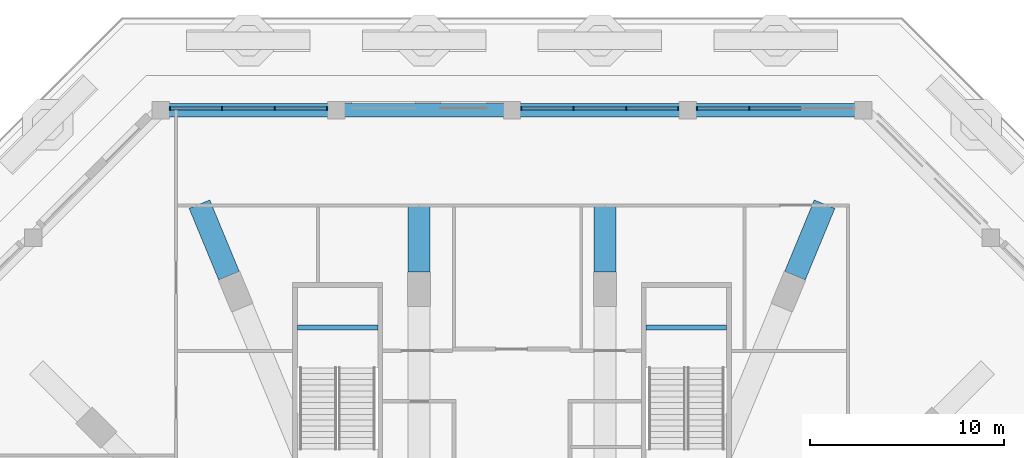
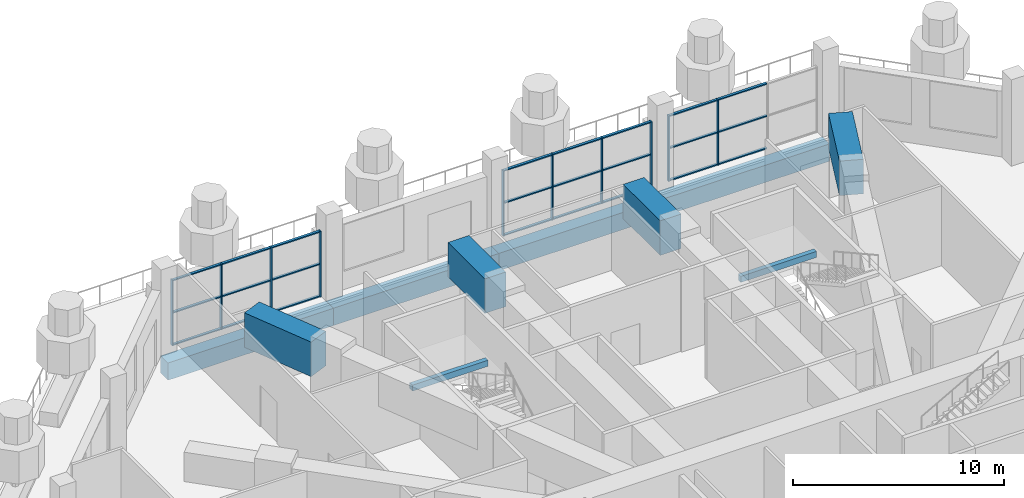
# One storey, part 10 of 25: 34 members, 10 beams, 3 elements without a shape of their own.
"""IFC4 building model written with IfcOpenShell, lengths in metres."""

import ifcopenshell
import ifcopenshell.guid

model = None  # the IFC model being written
_history = None  # IfcOwnerHistory: only IFC2X3 demands one
_inside = {}  # id of a spatial element -> (the spatial element, [elements in it])
_under = {}  # id of a project, library or spatial element -> (it, [spatial elements below it])
_declared = {}  # id of a project -> (the project, [libraries it declares])
_typed = {}  # id of a type object -> (the type object, [elements of that type])
_made_of = {}  # id of a material, layer set ... -> (it, [elements and type objects made of it])


def new_model(schema):
    """Start an empty IFC model of exactly this schema.

    Asked for "IFC4X3", IfcOpenShell would pick the latest addendum, in which some entities
    have other attributes; the version numbers below select the first issue.
    IFC2X3 requires an IfcOwnerHistory on every rooted entity: one is made here for all.
    """
    global model, _history
    if schema == "IFC4X3":
        model = ifcopenshell.file(schema_version=(4, 3, 0, 0))
    else:
        model = ifcopenshell.file(schema=schema)
    _inside.clear()
    _under.clear()
    _declared.clear()
    _typed.clear()
    _made_of.clear()
    _history = None
    if model.schema == "IFC2X3":
        org = make("IfcOrganization", Name="unknown")
        user = make(
            "IfcPersonAndOrganization",
            ThePerson=make("IfcPerson", FamilyName="unknown"),
            TheOrganization=org,
        )
        app = make(
            "IfcApplication",
            ApplicationDeveloper=org,
            Version="unknown",
            ApplicationFullName="unknown",
            ApplicationIdentifier="unknown",
        )
        _history = make(
            "IfcOwnerHistory",
            OwningUser=user,
            OwningApplication=app,
            ChangeAction="ADDED",
            CreationDate=0,
        )
    return model


def make(cls, **values):
    """One entity of the class cls with the attributes given. An attribute that is None is left unset."""
    return model.create_entity(
        cls, **{name: value for name, value in values.items() if value is not None}
    )


def rooted(cls, **values):
    """An entity with a GlobalId (a new one), such as an element, a storey or a relation."""
    return make(cls, GlobalId=ifcopenshell.guid.new(), OwnerHistory=_history, **values)


def si_unit(unit_type, name, prefix=None):
    """IfcSIUnit, for example si_unit("LENGTHUNIT", "METRE", prefix="MILLI")."""
    return make("IfcSIUnit", UnitType=unit_type, Prefix=prefix, Name=name)


def assignment(units):
    """IfcUnitAssignment: the units of a project."""
    return None if units is None else make("IfcUnitAssignment", Units=units)


def point(xyz):
    """IfcCartesianPoint."""
    return None if xyz is None else make("IfcCartesianPoint", Coordinates=xyz)


def direction(xyz):
    """IfcDirection."""
    return None if xyz is None else make("IfcDirection", DirectionRatios=xyz)


def frame(location, z_axis=None, x_axis=None):
    """IfcAxis2Placement3D, a coordinate frame: its origin and axes. An axis left out is left unset."""
    return make(
        "IfcAxis2Placement3D",
        Location=point(location),
        Axis=direction(z_axis),
        RefDirection=direction(x_axis),
    )


def frame_2d(location, x_axis=None):
    """IfcAxis2Placement2D, a coordinate frame in the plane: its origin and x axis."""
    return make(
        "IfcAxis2Placement2D", Location=point(location), RefDirection=direction(x_axis)
    )


def origin():
    """The frame at (0, 0, 0) with its axes left unset."""
    return frame((0.0, 0.0, 0.0))


def origin_2d():
    """The frame at (0, 0) in the plane with its x axis left unset."""
    return frame_2d((0.0, 0.0))


def place(relative_to, where):
    """IfcLocalPlacement: puts the frame where relative to a parent placement (None: the world)."""
    return make(
        "IfcLocalPlacement", PlacementRelTo=relative_to, RelativePlacement=where
    )


def context(
    kind, dimensions, precision=None, world=None, true_north=None, identifier=None
):
    """IfcGeometricRepresentationContext, for example the 3D "Model" context."""
    return make(
        "IfcGeometricRepresentationContext",
        ContextIdentifier=identifier,
        ContextType=kind,
        CoordinateSpaceDimension=dimensions,
        Precision=precision,
        WorldCoordinateSystem=world,
        TrueNorth=true_north,
    )


def subcontext(parent, identifier, kind, view, scale=None):
    """IfcGeometricRepresentationSubContext, for example "Body" below "Model"."""
    return make(
        "IfcGeometricRepresentationSubContext",
        ContextIdentifier=identifier,
        ContextType=kind,
        ParentContext=parent,
        TargetScale=scale,
        TargetView=view,
    )


def project(units=None, contexts=None):
    """IfcProject with its units and contexts."""
    return rooted(
        "IfcProject",
        Name="project",
        RepresentationContexts=contexts,
        UnitsInContext=assignment(units),
    )


def spatial(cls, under=None, at=None, **own):
    """A site, building, storey or space (cls), placed at a placement, below another one or the project."""
    s = rooted(cls, ObjectPlacement=at, **own)
    if under is not None:
        _under.setdefault(under.id(), (under, []))[1].append(s)
    return s


def profile(cls, at=None, kind="AREA", **sizes):
    """A parametric profile (cls). Its sizes go by their IFC names, for example OverallWidth=200.0."""
    return make(cls, ProfileType=kind, Position=at, **sizes)


def rectangle(**sizes):
    """IfcRectangleProfileDef."""
    return profile("IfcRectangleProfileDef", **sizes)


def extrude(swept, where, along, depth):
    """IfcExtrudedAreaSolid: the profile swept, set in the frame where, extruded along a direction by depth."""
    return make(
        "IfcExtrudedAreaSolid",
        SweptArea=swept,
        Position=where,
        ExtrudedDirection=direction(along),
        Depth=depth,
    )


def shape(context_of_items, identifier, shape_type, items):
    """IfcShapeRepresentation: the items that make up one representation, for example the "Body"."""
    return make(
        "IfcShapeRepresentation",
        ContextOfItems=context_of_items,
        RepresentationIdentifier=identifier,
        RepresentationType=shape_type,
        Items=items,
    )


def material(Name=None, Category=None):
    """IfcMaterial."""
    return make("IfcMaterial", Name=Name, Category=Category)


def material_profile(
    of_material, cross_section, Name=None, Category=None, Priority=None
):
    """IfcMaterialProfile: a cross section and its material."""
    return make(
        "IfcMaterialProfile",
        Name=Name,
        Material=of_material,
        Profile=cross_section,
        Priority=Priority,
        Category=Category,
    )


def profile_set(profiles, Name=None, composite=None):
    """IfcMaterialProfileSet."""
    return make(
        "IfcMaterialProfileSet",
        Name=Name,
        MaterialProfiles=profiles,
        CompositeProfile=composite,
    )


def made_of(thing, what):
    """Note that an element or type object is made of a material, layer set ...; save() writes the relation."""
    if what is not None:
        _made_of.setdefault(what.id(), (what, []))[1].append(thing)
    return thing


def type_object(cls, material=None, **own):
    """A type object (cls), such as IfcWallType, which elements share."""
    return made_of(rooted(cls, **own), material)


def element(
    cls,
    number,
    at=None,
    inside=None,
    cuts=None,
    type_object=None,
    material=None,
    context=None,
    identifier="Body",
    shape_type=None,
    held_by="IfcProductDefinitionShape",
    body=None,
    shapes=None,
    **own,
):
    """One element of the class cls, such as IfcWall. Its Tag is "e" and its number.

    at: its placement. inside: the storey or other place that contains it. cuts: it is an
    opening in that element (IfcRelVoidsElement). A single representation is given by context,
    identifier, shape_type and body (its items); several are given by shapes. held_by: the class
    of the entity that holds the representations. save() writes the other relations.
    """
    e = rooted(cls, Tag="e%d" % number, ObjectPlacement=at, **own)
    if body is not None:
        shapes = [shape(context, identifier, shape_type, body)]
    if shapes is not None:
        e.Representation = make(held_by, Representations=shapes)
    if inside is not None:
        _inside.setdefault(inside.id(), (inside, []))[1].append(e)
    if cuts is not None:
        rooted(
            "IfcRelVoidsElement", RelatingBuildingElement=cuts, RelatedOpeningElement=e
        )
    if type_object is not None:
        _typed.setdefault(type_object.id(), (type_object, []))[1].append(e)
    return made_of(e, material)


def aggregate(whole, parts):
    """IfcRelAggregates: a whole, such as a stair, and the parts it consists of."""
    return rooted("IfcRelAggregates", RelatingObject=whole, RelatedObjects=parts)


def save(model, path):
    """Write the relations noted so far, then the file.

    IfcRelAggregates (storeys below a building ...), IfcRelContainedInSpatialStructure (elements
    in a storey), IfcRelDefinesByType, IfcRelAssociatesMaterial and IfcRelDeclares: one each for
    every whole, place, type object, material and project.
    """
    for whole, parts in _under.values():
        aggregate(whole, parts)
    for where, things in _inside.values():
        rooted(
            "IfcRelContainedInSpatialStructure",
            RelatedElements=things,
            RelatingStructure=where,
        )
    for kind, things in _typed.values():
        rooted("IfcRelDefinesByType", RelatedObjects=things, RelatingType=kind)
    for what, things in _made_of.values():
        rooted("IfcRelAssociatesMaterial", RelatedObjects=things, RelatingMaterial=what)
    for by, libraries in _declared.values():
        rooted("IfcRelDeclares", RelatingContext=by, RelatedDefinitions=libraries)
    model.write(path)


model = new_model("IFC4")

# Units and contexts
model_context = context("Model", 3, precision=1e-05, world=origin(), true_north=direction((0.0, 1.0)))
body_context = subcontext(model_context, "Body", "Model", "MODEL_VIEW")
ifc_project = project(units=[si_unit("LENGTHUNIT", "METRE"), si_unit("AREAUNIT", "SQUARE_METRE"), si_unit("VOLUMEUNIT", "CUBIC_METRE"), si_unit("PLANEANGLEUNIT", "RADIAN"), si_unit("MASSUNIT", "GRAM", prefix="KILO")], contexts=[model_context])

# Site, building, storey
site_placement = place(None, origin())
site = spatial("IfcSite", under=ifc_project, at=site_placement, CompositionType="ELEMENT")
building_placement = place(site_placement, origin())
building = spatial("IfcBuilding", under=site, at=building_placement, Name="Msitu Wima Residences", CompositionType="ELEMENT")
storey_placement = place(building_placement, frame((0.0, 0.0, 11.0)))
storey = spatial("IfcBuildingStorey", under=building, at=storey_placement, Name="L02", CompositionType="ELEMENT", Elevation=11.0)

# Beams
ifc_material_1 = material(Name="Concrete C40/50", Category="concrete")
ifc_material_profile_1 = material_profile(ifc_material_1, rectangle(XDim=0.25, YDim=0.35009765625, at=origin_2d()), Name="RC 250x350")
ifc_profile_set_1 = profile_set([ifc_material_profile_1], Name="Concrete C40/50")
beam_type_1 = type_object("IfcBeamType", Name="Landing beam RC 250x350", PredefinedType="BEAM", material=ifc_profile_set_1)
for number, where, z_axis, x_axis, name in (
    (1, (-6.925048828125, 26.60009765625, 2.125), (-1.0, 0.0, 0.0), (0.0, -1.0, 0.0), "Podium exit stair 3 landing beam"),
    (2, (6.925048828125, 26.60009765625, 2.125), (1.0, 0.0, 0.0), (0.0, 1.0, 0.0), "Podium exit stair 4 landing beam"),
):
    element("IfcBeam", number, at=place(storey_placement, frame(where, z_axis=z_axis, x_axis=x_axis)), inside=storey, type_object=beam_type_1, Name=name, PredefinedType="BEAM", context=body_context, shape_type="SweptSolid", body=[
        extrude(rectangle(XDim=0.25, YDim=0.35009765625, at=origin_2d()), origin(), (0.0, 0.0, 1.0), 4.14990234375),
    ])

# Curtain wall, members
ifc_material_2 = material(Name="Anodised aluminium, bronze finish, clear low-emissivity double glazing", Category="aluminium")
curtain_wall_type = type_object("IfcCurtainWallType", Name="Curtain wall CW6 podium winter garden", PredefinedType="NOTDEFINED", material=ifc_material_2)
curtain_wall_1_placement = place(storey_placement, origin())
curtain_wall_1 = element("IfcCurtainWall", 3, at=curtain_wall_1_placement, inside=storey, type_object=curtain_wall_type, Name="Curtain wall CW6 L02 N0", PredefinedType="NOTDEFINED")
ifc_material_3 = material(Name="Anodised aluminium, bronze finish", Category="aluminium")
ifc_material_profile_2 = material_profile(ifc_material_3, rectangle(XDim=0.179931640625, YDim=0.06494140625, at=origin_2d()), Name="Mullion 65x180")
ifc_profile_set_2 = profile_set([ifc_material_profile_2], Name="Anodised aluminium, bronze finish")
member_type_1 = type_object("IfcMemberType", Name="Mullion CW6 65x180", PredefinedType="MULLION", material=ifc_profile_set_2)
member_1_placement = place(storey_placement, frame((12.2353515625, 37.89990234375, 0.0), z_axis=(0.0, 0.0, 1.0), x_axis=(0.0, -1.0, 0.0)))
member_1 = element("IfcMember", 4, at=member_1_placement, type_object=member_type_1, Name="CW6 mullion 3", PredefinedType="MULLION", context=body_context, shape_type="SweptSolid", body=[
    extrude(rectangle(XDim=0.179931640625, YDim=0.06494140625, at=origin_2d()), origin(), (0.0, 0.0, 1.0), 3.800048828125),
])
member_2_placement = place(storey_placement, frame((9.54638671875, 37.89990234375, 0.0), z_axis=(0.0, 0.0, 1.0), x_axis=(0.0, -1.0, 0.0)))
member_2 = element("IfcMember", 5, at=member_2_placement, type_object=member_type_1, Name="CW6 mullion 4", PredefinedType="MULLION", context=body_context, shape_type="SweptSolid", body=[
    extrude(rectangle(XDim=0.179931640625, YDim=0.06494140625, at=origin_2d()), origin(), (0.0, 0.0, 1.0), 3.800048828125),
])

curtain_wall_2_placement = place(storey_placement, origin())
curtain_wall_2 = element("IfcCurtainWall", 6, at=curtain_wall_2_placement, inside=storey, type_object=curtain_wall_type, Name="Curtain wall CW6 L02 N1", PredefinedType="NOTDEFINED")
member_3_placement = place(storey_placement, frame((8.58154296875, 37.89990234375, 0.0), z_axis=(0.0, 0.0, 1.0), x_axis=(0.0, -1.0, 0.0)))
member_3 = element("IfcMember", 7, at=member_3_placement, type_object=member_type_1, Name="CW6 mullion 1", PredefinedType="MULLION", context=body_context, shape_type="SweptSolid", body=[
    extrude(rectangle(XDim=0.179931640625, YDim=0.06494140625, at=origin_2d()), origin(), (0.0, 0.0, 1.0), 3.800048828125),
])
member_4_placement = place(storey_placement, frame((5.892578125, 37.89990234375, 0.0), z_axis=(0.0, 0.0, 1.0), x_axis=(0.0, -1.0, 0.0)))
member_4 = element("IfcMember", 8, at=member_4_placement, type_object=member_type_1, Name="CW6 mullion 2", PredefinedType="MULLION", context=body_context, shape_type="SweptSolid", body=[
    extrude(rectangle(XDim=0.179931640625, YDim=0.06494140625, at=origin_2d()), origin(), (0.0, 0.0, 1.0), 3.800048828125),
])
member_5_placement = place(storey_placement, frame((3.17138671875, 37.89990234375, 0.0), z_axis=(0.0, 0.0, 1.0), x_axis=(0.0, -1.0, 0.0)))
member_5 = element("IfcMember", 9, at=member_5_placement, type_object=member_type_1, Name="CW6 mullion 3", PredefinedType="MULLION", context=body_context, shape_type="SweptSolid", body=[
    extrude(rectangle(XDim=0.179931640625, YDim=0.06494140625, at=origin_2d()), origin(), (0.0, 0.0, 1.0), 3.800048828125),
])
member_6_placement = place(storey_placement, frame((0.482421875, 37.89990234375, 0.0), z_axis=(0.0, 0.0, 1.0), x_axis=(0.0, -1.0, 0.0)))
member_6 = element("IfcMember", 10, at=member_6_placement, type_object=member_type_1, Name="CW6 mullion 4", PredefinedType="MULLION", context=body_context, shape_type="SweptSolid", body=[
    extrude(rectangle(XDim=0.179931640625, YDim=0.06494140625, at=origin_2d()), origin(), (0.0, 0.0, 1.0), 3.800048828125),
])

curtain_wall_3_placement = place(storey_placement, origin())
curtain_wall_3 = element("IfcCurtainWall", 11, at=curtain_wall_3_placement, inside=storey, type_object=curtain_wall_type, Name="Curtain wall CW6 L02 N3", PredefinedType="NOTDEFINED")
member_7_placement = place(storey_placement, frame((-9.54638671875, 37.89990234375, 0.0), z_axis=(0.0, 0.0, 1.0), x_axis=(0.0, -1.0, 0.0)))
member_7 = element("IfcMember", 12, at=member_7_placement, type_object=member_type_1, Name="CW6 mullion 1", PredefinedType="MULLION", context=body_context, shape_type="SweptSolid", body=[
    extrude(rectangle(XDim=0.179931640625, YDim=0.06494140625, at=origin_2d()), origin(), (0.0, 0.0, 1.0), 3.800048828125),
])
member_8_placement = place(storey_placement, frame((-12.2353515625, 37.89990234375, 0.0), z_axis=(0.0, 0.0, 1.0), x_axis=(0.0, -1.0, 0.0)))
member_8 = element("IfcMember", 13, at=member_8_placement, type_object=member_type_1, Name="CW6 mullion 2", PredefinedType="MULLION", context=body_context, shape_type="SweptSolid", body=[
    extrude(rectangle(XDim=0.179931640625, YDim=0.06494140625, at=origin_2d()), origin(), (0.0, 0.0, 1.0), 3.800048828125),
])
member_9_placement = place(storey_placement, frame((-14.95654296875, 37.89990234375, 0.0), z_axis=(0.0, 0.0, 1.0), x_axis=(0.0, -1.0, 0.0)))
member_9 = element("IfcMember", 14, at=member_9_placement, type_object=member_type_1, Name="CW6 mullion 3", PredefinedType="MULLION", context=body_context, shape_type="SweptSolid", body=[
    extrude(rectangle(XDim=0.179931640625, YDim=0.06494140625, at=origin_2d()), origin(), (0.0, 0.0, 1.0), 3.800048828125),
])
member_10_placement = place(storey_placement, frame((-17.6455078125, 37.89990234375, 0.0), z_axis=(0.0, 0.0, 1.0), x_axis=(0.0, -1.0, 0.0)))
member_10 = element("IfcMember", 15, at=member_10_placement, type_object=member_type_1, Name="CW6 mullion 4", PredefinedType="MULLION", context=body_context, shape_type="SweptSolid", body=[
    extrude(rectangle(XDim=0.179931640625, YDim=0.06494140625, at=origin_2d()), origin(), (0.0, 0.0, 1.0), 3.800048828125),
])

# Beams
ifc_material_4 = material(Name="Concrete C60/75", Category="concrete")
ifc_material_profile_3 = material_profile(ifc_material_4, rectangle(XDim=1.14990234375, YDim=2.0, at=origin_2d()), Name="RC 1150x2000")
ifc_profile_set_3 = profile_set([ifc_material_profile_3], Name="Concrete C60/75")
beam_type_2 = type_object("IfcBeamType", Name="Podium cantilever girder tip RC 1150x2000 Concrete C60/75", PredefinedType="BEAM", material=ifc_profile_set_3)
beam_1_placement = place(storey_placement, frame((14.5966796875, 29.274658203125, 3.64990234375), z_axis=(0.382650802599, 0.923893047528, 0.0), x_axis=(-0.923893047528, 0.382650802599, 0.0)))
element("IfcBeam", 16, at=beam_1_placement, inside=storey, type_object=beam_type_2, Name="Podium cantilever girder L03 C-N0 cantilever", PredefinedType="BEAM", context=body_context, shape_type="SweptSolid", body=[
    extrude(rectangle(XDim=1.14990234375, YDim=2.0, at=origin_2d()), origin(), (0.0, 0.0, 1.0), 3.990234375),
])
for number, where, z_axis, x_axis, name in (
    (17, (4.800048828125, 29.462890625, 3.64990234375), (0.0, 1.0, 0.0), (-1.0, 0.0, 0.0), "Podium cantilever girder L03 C-N1 cantilever"),
    (18, (-4.800048828125, 29.462890625, 3.64990234375), (0.0, 1.0, 0.0), (-1.0, 0.0, 0.0), "Podium cantilever girder L03 C-N2 cantilever"),
):
    element("IfcBeam", number, at=place(storey_placement, frame(where, z_axis=z_axis, x_axis=x_axis)), inside=storey, type_object=beam_type_2, Name=name, PredefinedType="BEAM", context=body_context, shape_type="SweptSolid", body=[
        extrude(rectangle(XDim=1.14990234375, YDim=2.0, at=origin_2d()), origin(), (0.0, 0.0, 1.0), 3.4990234375),
    ])
beam_2_placement = place(storey_placement, frame((-14.5966796875, 29.274658203125, 3.64990234375), z_axis=(-0.382650802599, 0.923893047528, 0.0), x_axis=(-0.923893047528, -0.382650802599, 0.0)))
element("IfcBeam", 19, at=beam_2_placement, inside=storey, type_object=beam_type_2, Name="Podium cantilever girder L03 C-NW0 cantilever", PredefinedType="BEAM", context=body_context, shape_type="SweptSolid", body=[
    extrude(rectangle(XDim=1.14990234375, YDim=2.0, at=origin_2d()), origin(), (0.0, 0.0, 1.0), 3.990234375),
])
ifc_material_profile_4 = material_profile(ifc_material_4, rectangle(XDim=0.699951171875, YDim=1.0, at=origin_2d()), Name="RC 700x1000")
ifc_profile_set_4 = profile_set([ifc_material_profile_4], Name="Concrete C60/75")
beam_type_3 = type_object("IfcBeamType", Name="Terrace beam RC 700x1000 Concrete C60/75", PredefinedType="BEAM", material=ifc_profile_set_4)
for number, where, z_axis, x_axis, name in (
    (20, (18.1279296875, 37.800048828125, -1.10009765625), (-1.0, 0.0, 0.0), (0.0, -1.0, 0.0), "Terrace upstand-line beam L02 C-N0"),
    (21, (9.06396484375, 37.800048828125, -1.10009765625), (-1.0, 0.0, 0.0), (0.0, -1.0, 0.0), "Terrace upstand-line beam L02 C-N1"),
    (22, (0.0, 37.800048828125, -1.10009765625), (-1.0, 0.0, 0.0), (0.0, -1.0, 0.0), "Terrace upstand-line beam L02 C-N2"),
    (23, (-9.06396484375, 37.800048828125, -1.10009765625), (-1.0, 0.0, 0.0), (0.0, -1.0, 0.0), "Terrace upstand-line beam L02 C-N3"),
):
    element("IfcBeam", number, at=place(storey_placement, frame(where, z_axis=z_axis, x_axis=x_axis)), inside=storey, type_object=beam_type_3, Name=name, PredefinedType="BEAM", context=body_context, shape_type="SweptSolid", body=[
        extrude(rectangle(XDim=0.699951171875, YDim=1.0, at=origin_2d()), origin(), (0.0, 0.0, 1.0), 9.06396484375),
    ])

# Member
ifc_material_profile_5 = material_profile(ifc_material_3, rectangle(XDim=0.139892578125, YDim=0.06494140625, at=origin_2d()), Name="Transom 65x140")
ifc_profile_set_5 = profile_set([ifc_material_profile_5], Name="Anodised aluminium, bronze finish")
member_type_2 = type_object("IfcMemberType", Name="Transom CW6 65x140", PredefinedType="USERDEFINED", material=ifc_profile_set_5)
member_11_placement = place(storey_placement, frame((14.924072265625, 37.89990234375, 0.032470703125), z_axis=(-1.0, 0.0, 0.0), x_axis=(0.0, -1.0, 0.0)))
member_11 = element("IfcMember", 24, at=member_11_placement, type_object=member_type_2, Name="CW6 transom 2.1", ObjectType="TRANSOM", PredefinedType="USERDEFINED", context=body_context, shape_type="SweptSolid", body=[
    extrude(rectangle(XDim=0.139892578125, YDim=0.06494140625, at=origin_2d()), origin(), (0.0, 0.0, 1.0), 2.65625),
])

member_12_placement = place(storey_placement, frame((14.924072265625, 37.89990234375, 1.89990234375), z_axis=(-1.0, 0.0, 0.0), x_axis=(0.0, -1.0, 0.0)))
member_12 = element("IfcMember", 25, at=member_12_placement, type_object=member_type_2, Name="CW6 transom 2.2", ObjectType="TRANSOM", PredefinedType="USERDEFINED", context=body_context, shape_type="SweptSolid", body=[
    extrude(rectangle(XDim=0.139892578125, YDim=0.06494140625, at=origin_2d()), origin(), (0.0, 0.0, 1.0), 2.65625),
])

member_13_placement = place(storey_placement, frame((14.924072265625, 37.89990234375, 3.767578125), z_axis=(-1.0, 0.0, 0.0), x_axis=(0.0, -1.0, 0.0)))
member_13 = element("IfcMember", 26, at=member_13_placement, type_object=member_type_2, Name="CW6 transom 2.3", ObjectType="TRANSOM", PredefinedType="USERDEFINED", context=body_context, shape_type="SweptSolid", body=[
    extrude(rectangle(XDim=0.139892578125, YDim=0.06494140625, at=origin_2d()), origin(), (0.0, 0.0, 1.0), 2.65625),
])

member_14_placement = place(storey_placement, frame((12.202880859375, 37.89990234375, 0.032470703125), z_axis=(-1.0, 0.0, 0.0), x_axis=(0.0, -1.0, 0.0)))
member_14 = element("IfcMember", 27, at=member_14_placement, type_object=member_type_2, Name="CW6 transom 3.1", ObjectType="TRANSOM", PredefinedType="USERDEFINED", context=body_context, shape_type="SweptSolid", body=[
    extrude(rectangle(XDim=0.139892578125, YDim=0.06494140625, at=origin_2d()), origin(), (0.0, 0.0, 1.0), 2.6240234375),
])

member_15_placement = place(storey_placement, frame((12.202880859375, 37.89990234375, 1.89990234375), z_axis=(-1.0, 0.0, 0.0), x_axis=(0.0, -1.0, 0.0)))
member_15 = element("IfcMember", 28, at=member_15_placement, type_object=member_type_2, Name="CW6 transom 3.2", ObjectType="TRANSOM", PredefinedType="USERDEFINED", context=body_context, shape_type="SweptSolid", body=[
    extrude(rectangle(XDim=0.139892578125, YDim=0.06494140625, at=origin_2d()), origin(), (0.0, 0.0, 1.0), 2.6240234375),
])

member_16_placement = place(storey_placement, frame((12.202880859375, 37.89990234375, 3.767578125), z_axis=(-1.0, 0.0, 0.0), x_axis=(0.0, -1.0, 0.0)))
member_16 = element("IfcMember", 29, at=member_16_placement, type_object=member_type_2, Name="CW6 transom 3.3", ObjectType="TRANSOM", PredefinedType="USERDEFINED", context=body_context, shape_type="SweptSolid", body=[
    extrude(rectangle(XDim=0.139892578125, YDim=0.06494140625, at=origin_2d()), origin(), (0.0, 0.0, 1.0), 2.6240234375),
])

aggregate(curtain_wall_1, [member_1, member_2, member_11, member_12, member_13, member_14, member_15, member_16])

member_17_placement = place(storey_placement, frame((8.549072265625, 37.89990234375, 0.032470703125), z_axis=(-1.0, 0.0, 0.0), x_axis=(0.0, -1.0, 0.0)))
member_17 = element("IfcMember", 30, at=member_17_placement, type_object=member_type_2, Name="CW6 transom 1.1", ObjectType="TRANSOM", PredefinedType="USERDEFINED", context=body_context, shape_type="SweptSolid", body=[
    extrude(rectangle(XDim=0.139892578125, YDim=0.06494140625, at=origin_2d()), origin(), (0.0, 0.0, 1.0), 2.6240234375),
])

member_18_placement = place(storey_placement, frame((8.549072265625, 37.89990234375, 1.89990234375), z_axis=(-1.0, 0.0, 0.0), x_axis=(0.0, -1.0, 0.0)))
member_18 = element("IfcMember", 31, at=member_18_placement, type_object=member_type_2, Name="CW6 transom 1.2", ObjectType="TRANSOM", PredefinedType="USERDEFINED", context=body_context, shape_type="SweptSolid", body=[
    extrude(rectangle(XDim=0.139892578125, YDim=0.06494140625, at=origin_2d()), origin(), (0.0, 0.0, 1.0), 2.6240234375),
])

member_19_placement = place(storey_placement, frame((8.549072265625, 37.89990234375, 3.767578125), z_axis=(-1.0, 0.0, 0.0), x_axis=(0.0, -1.0, 0.0)))
member_19 = element("IfcMember", 32, at=member_19_placement, type_object=member_type_2, Name="CW6 transom 1.3", ObjectType="TRANSOM", PredefinedType="USERDEFINED", context=body_context, shape_type="SweptSolid", body=[
    extrude(rectangle(XDim=0.139892578125, YDim=0.06494140625, at=origin_2d()), origin(), (0.0, 0.0, 1.0), 2.6240234375),
])

member_20_placement = place(storey_placement, frame((5.860107421875, 37.89990234375, 0.032470703125), z_axis=(-1.0, 0.0, 0.0), x_axis=(0.0, -1.0, 0.0)))
member_20 = element("IfcMember", 33, at=member_20_placement, type_object=member_type_2, Name="CW6 transom 2.1", ObjectType="TRANSOM", PredefinedType="USERDEFINED", context=body_context, shape_type="SweptSolid", body=[
    extrude(rectangle(XDim=0.139892578125, YDim=0.06494140625, at=origin_2d()), origin(), (0.0, 0.0, 1.0), 2.65625),
])

member_21_placement = place(storey_placement, frame((5.860107421875, 37.89990234375, 1.89990234375), z_axis=(-1.0, 0.0, 0.0), x_axis=(0.0, -1.0, 0.0)))
member_21 = element("IfcMember", 34, at=member_21_placement, type_object=member_type_2, Name="CW6 transom 2.2", ObjectType="TRANSOM", PredefinedType="USERDEFINED", context=body_context, shape_type="SweptSolid", body=[
    extrude(rectangle(XDim=0.139892578125, YDim=0.06494140625, at=origin_2d()), origin(), (0.0, 0.0, 1.0), 2.65625),
])

member_22_placement = place(storey_placement, frame((5.860107421875, 37.89990234375, 3.767578125), z_axis=(-1.0, 0.0, 0.0), x_axis=(0.0, -1.0, 0.0)))
member_22 = element("IfcMember", 35, at=member_22_placement, type_object=member_type_2, Name="CW6 transom 2.3", ObjectType="TRANSOM", PredefinedType="USERDEFINED", context=body_context, shape_type="SweptSolid", body=[
    extrude(rectangle(XDim=0.139892578125, YDim=0.06494140625, at=origin_2d()), origin(), (0.0, 0.0, 1.0), 2.65625),
])

member_23_placement = place(storey_placement, frame((3.138916015625, 37.89990234375, 0.032470703125), z_axis=(-1.0, 0.0, 0.0), x_axis=(0.0, -1.0, 0.0)))
member_23 = element("IfcMember", 36, at=member_23_placement, type_object=member_type_2, Name="CW6 transom 3.1", ObjectType="TRANSOM", PredefinedType="USERDEFINED", context=body_context, shape_type="SweptSolid", body=[
    extrude(rectangle(XDim=0.139892578125, YDim=0.06494140625, at=origin_2d()), origin(), (0.0, 0.0, 1.0), 2.6240234375),
])

member_24_placement = place(storey_placement, frame((3.138916015625, 37.89990234375, 1.89990234375), z_axis=(-1.0, 0.0, 0.0), x_axis=(0.0, -1.0, 0.0)))
member_24 = element("IfcMember", 37, at=member_24_placement, type_object=member_type_2, Name="CW6 transom 3.2", ObjectType="TRANSOM", PredefinedType="USERDEFINED", context=body_context, shape_type="SweptSolid", body=[
    extrude(rectangle(XDim=0.139892578125, YDim=0.06494140625, at=origin_2d()), origin(), (0.0, 0.0, 1.0), 2.6240234375),
])

member_25_placement = place(storey_placement, frame((3.138916015625, 37.89990234375, 3.767578125), z_axis=(-1.0, 0.0, 0.0), x_axis=(0.0, -1.0, 0.0)))
member_25 = element("IfcMember", 38, at=member_25_placement, type_object=member_type_2, Name="CW6 transom 3.3", ObjectType="TRANSOM", PredefinedType="USERDEFINED", context=body_context, shape_type="SweptSolid", body=[
    extrude(rectangle(XDim=0.139892578125, YDim=0.06494140625, at=origin_2d()), origin(), (0.0, 0.0, 1.0), 2.6240234375),
])

aggregate(curtain_wall_2, [member_3, member_4, member_5, member_6, member_17, member_18, member_19, member_20, member_21, member_22, member_23, member_24, member_25])

member_26_placement = place(storey_placement, frame((-9.578857421875, 37.89990234375, 0.032470703125), z_axis=(-1.0, 0.0, 0.0), x_axis=(0.0, -1.0, 0.0)))
member_26 = element("IfcMember", 39, at=member_26_placement, type_object=member_type_2, Name="CW6 transom 1.1", ObjectType="TRANSOM", PredefinedType="USERDEFINED", context=body_context, shape_type="SweptSolid", body=[
    extrude(rectangle(XDim=0.139892578125, YDim=0.06494140625, at=origin_2d()), origin(), (0.0, 0.0, 1.0), 2.6240234375),
])

member_27_placement = place(storey_placement, frame((-9.578857421875, 37.89990234375, 1.89990234375), z_axis=(-1.0, 0.0, 0.0), x_axis=(0.0, -1.0, 0.0)))
member_27 = element("IfcMember", 40, at=member_27_placement, type_object=member_type_2, Name="CW6 transom 1.2", ObjectType="TRANSOM", PredefinedType="USERDEFINED", context=body_context, shape_type="SweptSolid", body=[
    extrude(rectangle(XDim=0.139892578125, YDim=0.06494140625, at=origin_2d()), origin(), (0.0, 0.0, 1.0), 2.6240234375),
])

member_28_placement = place(storey_placement, frame((-9.578857421875, 37.89990234375, 3.767578125), z_axis=(-1.0, 0.0, 0.0), x_axis=(0.0, -1.0, 0.0)))
member_28 = element("IfcMember", 41, at=member_28_placement, type_object=member_type_2, Name="CW6 transom 1.3", ObjectType="TRANSOM", PredefinedType="USERDEFINED", context=body_context, shape_type="SweptSolid", body=[
    extrude(rectangle(XDim=0.139892578125, YDim=0.06494140625, at=origin_2d()), origin(), (0.0, 0.0, 1.0), 2.6240234375),
])

member_29_placement = place(storey_placement, frame((-12.267822265625, 37.89990234375, 0.032470703125), z_axis=(-1.0, 0.0, 0.0), x_axis=(0.0, -1.0, 0.0)))
member_29 = element("IfcMember", 42, at=member_29_placement, type_object=member_type_2, Name="CW6 transom 2.1", ObjectType="TRANSOM", PredefinedType="USERDEFINED", context=body_context, shape_type="SweptSolid", body=[
    extrude(rectangle(XDim=0.139892578125, YDim=0.06494140625, at=origin_2d()), origin(), (0.0, 0.0, 1.0), 2.65625),
])

member_30_placement = place(storey_placement, frame((-12.267822265625, 37.89990234375, 1.89990234375), z_axis=(-1.0, 0.0, 0.0), x_axis=(0.0, -1.0, 0.0)))
member_30 = element("IfcMember", 43, at=member_30_placement, type_object=member_type_2, Name="CW6 transom 2.2", ObjectType="TRANSOM", PredefinedType="USERDEFINED", context=body_context, shape_type="SweptSolid", body=[
    extrude(rectangle(XDim=0.139892578125, YDim=0.06494140625, at=origin_2d()), origin(), (0.0, 0.0, 1.0), 2.65625),
])

member_31_placement = place(storey_placement, frame((-12.267822265625, 37.89990234375, 3.767578125), z_axis=(-1.0, 0.0, 0.0), x_axis=(0.0, -1.0, 0.0)))
member_31 = element("IfcMember", 44, at=member_31_placement, type_object=member_type_2, Name="CW6 transom 2.3", ObjectType="TRANSOM", PredefinedType="USERDEFINED", context=body_context, shape_type="SweptSolid", body=[
    extrude(rectangle(XDim=0.139892578125, YDim=0.06494140625, at=origin_2d()), origin(), (0.0, 0.0, 1.0), 2.65625),
])

member_32_placement = place(storey_placement, frame((-14.989013671875, 37.89990234375, 0.032470703125), z_axis=(-1.0, 0.0, 0.0), x_axis=(0.0, -1.0, 0.0)))
member_32 = element("IfcMember", 45, at=member_32_placement, type_object=member_type_2, Name="CW6 transom 3.1", ObjectType="TRANSOM", PredefinedType="USERDEFINED", context=body_context, shape_type="SweptSolid", body=[
    extrude(rectangle(XDim=0.139892578125, YDim=0.06494140625, at=origin_2d()), origin(), (0.0, 0.0, 1.0), 2.6240234375),
])

member_33_placement = place(storey_placement, frame((-14.989013671875, 37.89990234375, 1.89990234375), z_axis=(-1.0, 0.0, 0.0), x_axis=(0.0, -1.0, 0.0)))
member_33 = element("IfcMember", 46, at=member_33_placement, type_object=member_type_2, Name="CW6 transom 3.2", ObjectType="TRANSOM", PredefinedType="USERDEFINED", context=body_context, shape_type="SweptSolid", body=[
    extrude(rectangle(XDim=0.139892578125, YDim=0.06494140625, at=origin_2d()), origin(), (0.0, 0.0, 1.0), 2.6240234375),
])

member_34_placement = place(storey_placement, frame((-14.989013671875, 37.89990234375, 3.767578125), z_axis=(-1.0, 0.0, 0.0), x_axis=(0.0, -1.0, 0.0)))
member_34 = element("IfcMember", 47, at=member_34_placement, type_object=member_type_2, Name="CW6 transom 3.3", ObjectType="TRANSOM", PredefinedType="USERDEFINED", context=body_context, shape_type="SweptSolid", body=[
    extrude(rectangle(XDim=0.139892578125, YDim=0.06494140625, at=origin_2d()), origin(), (0.0, 0.0, 1.0), 2.6240234375),
])

aggregate(curtain_wall_3, [member_7, member_8, member_9, member_10, member_26, member_27, member_28, member_29, member_30, member_31, member_32, member_33, member_34])

save(model, "model.ifc")
